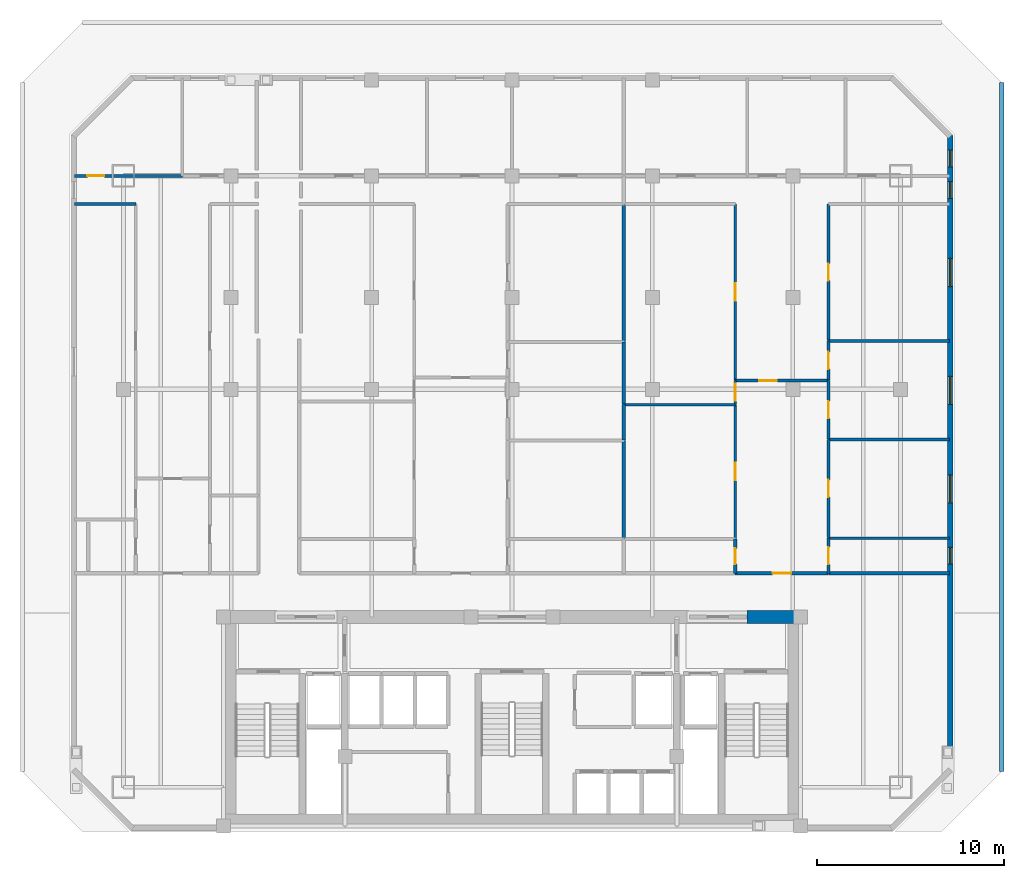
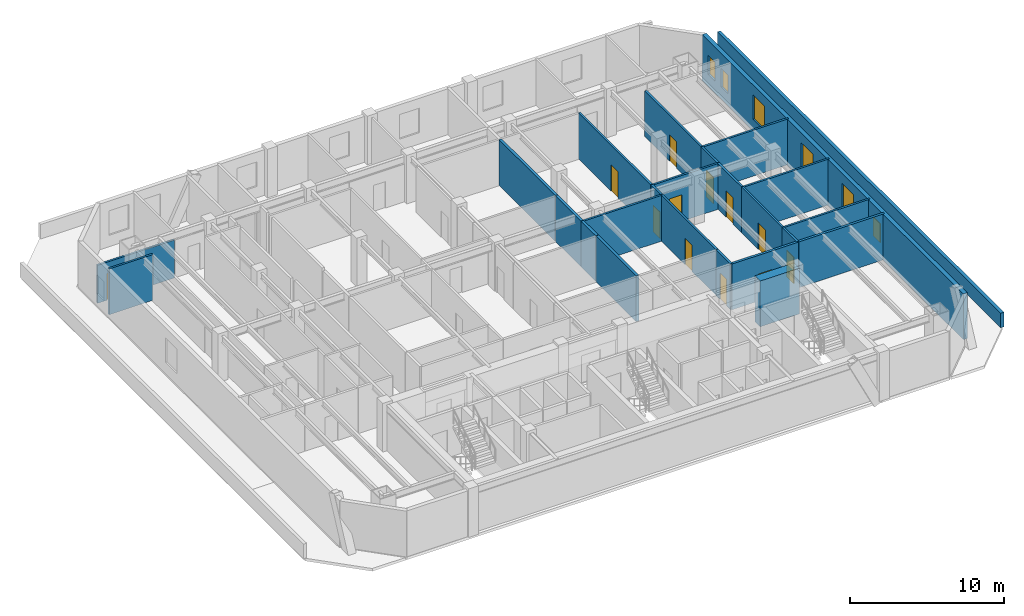
# One storey, part 5 of 8: 25 walls, 12 doors, 6 windows, 18 openings.
"""IFC4 building model written with IfcOpenShell, lengths in metres."""

import ifcopenshell
import ifcopenshell.guid

model = None  # the IFC model being written
_history = None  # IfcOwnerHistory: only IFC2X3 demands one
_inside = {}  # id of a spatial element -> (the spatial element, [elements in it])
_under = {}  # id of a project, library or spatial element -> (it, [spatial elements below it])
_declared = {}  # id of a project -> (the project, [libraries it declares])
_typed = {}  # id of a type object -> (the type object, [elements of that type])
_made_of = {}  # id of a material, layer set ... -> (it, [elements and type objects made of it])


def new_model(schema):
    """Start an empty IFC model of exactly this schema.

    Asked for "IFC4X3", IfcOpenShell would pick the latest addendum, in which some entities
    have other attributes; the version numbers below select the first issue.
    IFC2X3 requires an IfcOwnerHistory on every rooted entity: one is made here for all.
    """
    global model, _history
    if schema == "IFC4X3":
        model = ifcopenshell.file(schema_version=(4, 3, 0, 0))
    else:
        model = ifcopenshell.file(schema=schema)
    _inside.clear()
    _under.clear()
    _declared.clear()
    _typed.clear()
    _made_of.clear()
    _history = None
    if model.schema == "IFC2X3":
        org = make("IfcOrganization", Name="unknown")
        user = make(
            "IfcPersonAndOrganization",
            ThePerson=make("IfcPerson", FamilyName="unknown"),
            TheOrganization=org,
        )
        app = make(
            "IfcApplication",
            ApplicationDeveloper=org,
            Version="unknown",
            ApplicationFullName="unknown",
            ApplicationIdentifier="unknown",
        )
        _history = make(
            "IfcOwnerHistory",
            OwningUser=user,
            OwningApplication=app,
            ChangeAction="ADDED",
            CreationDate=0,
        )
    return model


def make(cls, **values):
    """One entity of the class cls with the attributes given. An attribute that is None is left unset."""
    return model.create_entity(
        cls, **{name: value for name, value in values.items() if value is not None}
    )


def rooted(cls, **values):
    """An entity with a GlobalId (a new one), such as an element, a storey or a relation."""
    return make(cls, GlobalId=ifcopenshell.guid.new(), OwnerHistory=_history, **values)


def si_unit(unit_type, name, prefix=None):
    """IfcSIUnit, for example si_unit("LENGTHUNIT", "METRE", prefix="MILLI")."""
    return make("IfcSIUnit", UnitType=unit_type, Prefix=prefix, Name=name)


def assignment(units):
    """IfcUnitAssignment: the units of a project."""
    return None if units is None else make("IfcUnitAssignment", Units=units)


def point(xyz):
    """IfcCartesianPoint."""
    return None if xyz is None else make("IfcCartesianPoint", Coordinates=xyz)


def direction(xyz):
    """IfcDirection."""
    return None if xyz is None else make("IfcDirection", DirectionRatios=xyz)


def frame(location, z_axis=None, x_axis=None):
    """IfcAxis2Placement3D, a coordinate frame: its origin and axes. An axis left out is left unset."""
    return make(
        "IfcAxis2Placement3D",
        Location=point(location),
        Axis=direction(z_axis),
        RefDirection=direction(x_axis),
    )


def frame_2d(location, x_axis=None):
    """IfcAxis2Placement2D, a coordinate frame in the plane: its origin and x axis."""
    return make(
        "IfcAxis2Placement2D", Location=point(location), RefDirection=direction(x_axis)
    )


def origin():
    """The frame at (0, 0, 0) with its axes left unset."""
    return frame((0.0, 0.0, 0.0))


def place(relative_to, where):
    """IfcLocalPlacement: puts the frame where relative to a parent placement (None: the world)."""
    return make(
        "IfcLocalPlacement", PlacementRelTo=relative_to, RelativePlacement=where
    )


def context(
    kind, dimensions, precision=None, world=None, true_north=None, identifier=None
):
    """IfcGeometricRepresentationContext, for example the 3D "Model" context."""
    return make(
        "IfcGeometricRepresentationContext",
        ContextIdentifier=identifier,
        ContextType=kind,
        CoordinateSpaceDimension=dimensions,
        Precision=precision,
        WorldCoordinateSystem=world,
        TrueNorth=true_north,
    )


def subcontext(parent, identifier, kind, view, scale=None):
    """IfcGeometricRepresentationSubContext, for example "Body" below "Model"."""
    return make(
        "IfcGeometricRepresentationSubContext",
        ContextIdentifier=identifier,
        ContextType=kind,
        ParentContext=parent,
        TargetScale=scale,
        TargetView=view,
    )


def project(units=None, contexts=None):
    """IfcProject with its units and contexts."""
    return rooted(
        "IfcProject",
        Name="project",
        RepresentationContexts=contexts,
        UnitsInContext=assignment(units),
    )


def spatial(cls, under=None, at=None, **own):
    """A site, building, storey or space (cls), placed at a placement, below another one or the project."""
    s = rooted(cls, ObjectPlacement=at, **own)
    if under is not None:
        _under.setdefault(under.id(), (under, []))[1].append(s)
    return s


def profile(cls, at=None, kind="AREA", **sizes):
    """A parametric profile (cls). Its sizes go by their IFC names, for example OverallWidth=200.0."""
    return make(cls, ProfileType=kind, Position=at, **sizes)


def rectangle(**sizes):
    """IfcRectangleProfileDef."""
    return profile("IfcRectangleProfileDef", **sizes)


def extrude(swept, where, along, depth):
    """IfcExtrudedAreaSolid: the profile swept, set in the frame where, extruded along a direction by depth."""
    return make(
        "IfcExtrudedAreaSolid",
        SweptArea=swept,
        Position=where,
        ExtrudedDirection=direction(along),
        Depth=depth,
    )


def shape(context_of_items, identifier, shape_type, items):
    """IfcShapeRepresentation: the items that make up one representation, for example the "Body"."""
    return make(
        "IfcShapeRepresentation",
        ContextOfItems=context_of_items,
        RepresentationIdentifier=identifier,
        RepresentationType=shape_type,
        Items=items,
    )


def material(Name=None, Category=None):
    """IfcMaterial."""
    return make("IfcMaterial", Name=Name, Category=Category)


def layer(
    of_material, thickness, ventilated=None, Name=None, Category=None, Priority=None
):
    """IfcMaterialLayer: one layer of a wall or slab, of a material (None: an air gap)."""
    return make(
        "IfcMaterialLayer",
        Material=of_material,
        LayerThickness=thickness,
        IsVentilated=ventilated,
        Name=Name,
        Category=Category,
        Priority=Priority,
    )


def layer_set(layers, Name=None):
    """IfcMaterialLayerSet."""
    return make("IfcMaterialLayerSet", MaterialLayers=layers, LayerSetName=Name)


def made_of(thing, what):
    """Note that an element or type object is made of a material, layer set ...; save() writes the relation."""
    if what is not None:
        _made_of.setdefault(what.id(), (what, []))[1].append(thing)
    return thing


def type_object(cls, material=None, **own):
    """A type object (cls), such as IfcWallType, which elements share."""
    return made_of(rooted(cls, **own), material)


def element(
    cls,
    number,
    at=None,
    inside=None,
    cuts=None,
    type_object=None,
    material=None,
    context=None,
    identifier="Body",
    shape_type=None,
    held_by="IfcProductDefinitionShape",
    body=None,
    shapes=None,
    **own,
):
    """One element of the class cls, such as IfcWall. Its Tag is "e" and its number.

    at: its placement. inside: the storey or other place that contains it. cuts: it is an
    opening in that element (IfcRelVoidsElement). A single representation is given by context,
    identifier, shape_type and body (its items); several are given by shapes. held_by: the class
    of the entity that holds the representations. save() writes the other relations.
    """
    e = rooted(cls, Tag="e%d" % number, ObjectPlacement=at, **own)
    if body is not None:
        shapes = [shape(context, identifier, shape_type, body)]
    if shapes is not None:
        e.Representation = make(held_by, Representations=shapes)
    if inside is not None:
        _inside.setdefault(inside.id(), (inside, []))[1].append(e)
    if cuts is not None:
        rooted(
            "IfcRelVoidsElement", RelatingBuildingElement=cuts, RelatedOpeningElement=e
        )
    if type_object is not None:
        _typed.setdefault(type_object.id(), (type_object, []))[1].append(e)
    return made_of(e, material)


def fill(opening, filler):
    """IfcRelFillsElement: the door or window that sits in an opening."""
    return rooted(
        "IfcRelFillsElement",
        RelatingOpeningElement=opening,
        RelatedBuildingElement=filler,
    )


def aggregate(whole, parts):
    """IfcRelAggregates: a whole, such as a stair, and the parts it consists of."""
    return rooted("IfcRelAggregates", RelatingObject=whole, RelatedObjects=parts)


def save(model, path):
    """Write the relations noted so far, then the file.

    IfcRelAggregates (storeys below a building ...), IfcRelContainedInSpatialStructure (elements
    in a storey), IfcRelDefinesByType, IfcRelAssociatesMaterial and IfcRelDeclares: one each for
    every whole, place, type object, material and project.
    """
    for whole, parts in _under.values():
        aggregate(whole, parts)
    for where, things in _inside.values():
        rooted(
            "IfcRelContainedInSpatialStructure",
            RelatedElements=things,
            RelatingStructure=where,
        )
    for kind, things in _typed.values():
        rooted("IfcRelDefinesByType", RelatedObjects=things, RelatingType=kind)
    for what, things in _made_of.values():
        rooted("IfcRelAssociatesMaterial", RelatedObjects=things, RelatingMaterial=what)
    for by, libraries in _declared.values():
        rooted("IfcRelDeclares", RelatingContext=by, RelatedDefinitions=libraries)
    model.write(path)


model = new_model("IFC4")

# Units and contexts
model_context = context("Model", 3, precision=1e-05, world=origin(), true_north=direction((0.0, 1.0)))
body_context = subcontext(model_context, "Body", "Model", "MODEL_VIEW")
ifc_project = project(units=[si_unit("LENGTHUNIT", "METRE"), si_unit("AREAUNIT", "SQUARE_METRE"), si_unit("VOLUMEUNIT", "CUBIC_METRE"), si_unit("PLANEANGLEUNIT", "RADIAN"), si_unit("MASSUNIT", "GRAM", prefix="KILO")], contexts=[model_context])

# Site, building, storey
site_placement = place(None, origin())
site = spatial("IfcSite", under=ifc_project, at=site_placement, CompositionType="ELEMENT")
building_placement = place(site_placement, origin())
building = spatial("IfcBuilding", under=site, at=building_placement, Name="Ventersveld Concourse Tower", CompositionType="ELEMENT")
storey_placement = place(building_placement, frame((0.0, 0.0, 156.75)))
storey = spatial("IfcBuildingStorey", under=building, at=storey_placement, Name="L38", CompositionType="ELEMENT", Elevation=156.75)

# Wall
ifc_material_1 = material(Name="Concrete C60/75", Category="concrete")
ifc_layer_1 = layer(ifc_material_1, 0.699951171875)
ifc_layer_set_1 = layer_set([ifc_layer_1], Name="Concrete C60/75")
wall_type_1 = type_object("IfcWallType", Name="WL-CORE-700", PredefinedType="SHEAR", material=ifc_layer_set_1)
wall_1_placement = place(storey_placement, frame((41.300048828125, 11.449951171875, 0.0), z_axis=(0.0, 0.0, 1.0), x_axis=(1.0, 0.0, 0.0)))
element("IfcWall", 1, at=wall_1_placement, inside=storey, type_object=wall_type_1, Name="L38 Rear Core North Shear Wall NE", PredefinedType="SHEAR", context=body_context, shape_type="SweptSolid", body=[
    extrude(rectangle(XDim=2.949951171875, YDim=0.699951171875, at=frame_2d((1.47509765625, 0.0))), origin(), (0.0, 0.0, 1.0), 3.6298828125),
])

# Wall, opening, door
ifc_material_2 = material(Name="Fire-rated autoclaved aerated masonry blockwork", Category="masonry")
ifc_layer_2 = layer(ifc_material_2, 0.179931640625)
ifc_layer_set_2 = layer_set([ifc_layer_2], Name="Fire-rated autoclaved aerated masonry blockwork")
wall_type_2 = type_object("IfcWallType", Name="WL-CORR-180", PredefinedType="PARTITIONING", material=ifc_layer_set_2)
wall_2_placement = place(storey_placement, frame((40.6689453125, 13.77001953125, 0.0), z_axis=(0.0, 0.0, 1.0), x_axis=(1.0, 0.0, 0.0)))
wall_2 = element("IfcWall", 2, at=wall_2_placement, inside=storey, type_object=wall_type_2, Name="L38 Interior Partition SP-L38-COR-SP-L38-38N2-FOY", PredefinedType="PARTITIONING", context=body_context, shape_type="SweptSolid", body=[
    extrude(rectangle(XDim=4.989990234375, YDim=0.179931640625, at=frame_2d((2.4951171875, 0.0))), origin(), (0.0, 0.0, 1.0), 3.6298828125),
])
opening_1_placement = place(wall_2_placement, frame((1.9951171875, 0.0, 0.0)))
opening_1 = element("IfcOpeningElement", 3, at=opening_1_placement, cuts=wall_2, Name="Opening FD3", PredefinedType="OPENING", context=body_context, shape_type="SweptSolid", body=[
    extrude(rectangle(XDim=1.0, YDim=2.14990234375, at=frame_2d((0.5, 1.074951171875))), frame((0.0, 0.10009765625, 0.0), z_axis=(0.0, -1.0, 0.0), x_axis=(1.0, 0.0, 0.0)), (0.0, 0.0, 1.0), 0.199951171875),
])
ifc_material_3 = material(Name="Solid-core hardwood veneer timber", Category="wood")
door_type_1 = type_object("IfcDoorType", Name="DR-FLAT-100", OperationType="NOTDEFINED", PredefinedType="DOOR", material=ifc_material_3)
door_1_placement = place(opening_1_placement, origin())
door_1 = element("IfcDoor", 4, at=door_1_placement, inside=storey, type_object=door_type_1, Name="L38 Interior Door SP-L38-COR to SP-L38-38N2-FOY (FD-L38-1862)", OperationType="SINGLE_SWING_RIGHT", OverallHeight=2.14990234375, OverallWidth=1.0, PredefinedType="DOOR", context=body_context, shape_type="SweptSolid", body=[
    extrude(rectangle(XDim=1.0, YDim=2.14990234375, at=frame_2d((0.5, 1.074951171875))), frame((0.0, 0.02490234375, 0.0), z_axis=(0.0, -1.0, 0.0), x_axis=(1.0, 0.0, 0.0)), (0.0, 0.0, 1.0), 0.050048828125),
])
fill(opening_1, door_1)

# Walls
wall_3_placement = place(storey_placement, frame((45.68896484375, 13.77001953125, 0.0), z_axis=(0.0, 0.0, 1.0), x_axis=(1.0, 0.0, 0.0)))
element("IfcWall", 5, at=wall_3_placement, inside=storey, type_object=wall_type_2, Name="L38 Interior Partition SP-L38-COR-SP-L38-38N2-KIT", PredefinedType="PARTITIONING", context=body_context, shape_type="SweptSolid", body=[
    extrude(rectangle(XDim=6.4384765625, YDim=0.179931640625, at=frame_2d((3.21923828125, 0.0))), origin(), (0.0, 0.0, 1.0), 3.6298828125),
])
ifc_layer_3 = layer(ifc_material_2, 0.199951171875)
ifc_layer_set_3 = layer_set([ifc_layer_3], Name="Fire-rated autoclaved aerated masonry blockwork")
wall_type_3 = type_object("IfcWallType", Name="WL-DEMISE-200", PredefinedType="PARTITIONING", material=ifc_layer_set_3)
wall_4_placement = place(storey_placement, frame((34.719970703125, 15.635009765625, 0.0), z_axis=(0.0, 0.0, 1.0), x_axis=(0.0, 1.0, 0.0)))
element("IfcWall", 6, at=wall_4_placement, inside=storey, type_object=wall_type_3, Name="L38 Interior Partition SP-L38-38N1-DENR-SP-L38-38N2-DENL", PredefinedType="PARTITIONING", context=body_context, shape_type="SweptSolid", body=[
    extrude(rectangle(XDim=5.233642578125, YDim=0.199951171875, at=frame_2d((2.61669921875, 0.0))), origin(), (0.0, 0.0, 1.0), 3.6298828125),
])
wall_5_placement = place(storey_placement, frame((34.719970703125, 20.898681640625, 0.0), z_axis=(0.0, 0.0, 1.0), x_axis=(0.0, 1.0, 0.0)))
element("IfcWall", 7, at=wall_5_placement, inside=storey, type_object=wall_type_3, Name="L38 Interior Partition SP-L38-38N1-DENS-SP-L38-38N2-DENL", PredefinedType="PARTITIONING", context=body_context, shape_type="SweptSolid", body=[
    extrude(rectangle(XDim=1.88818359375, YDim=0.199951171875, at=frame_2d((0.944091796875, 0.0))), origin(), (0.0, 0.0, 1.0), 3.6298828125),
])
wall_6_placement = place(storey_placement, frame((34.719970703125, 22.81689453125, 0.0), z_axis=(0.0, 0.0, 1.0), x_axis=(0.0, 1.0, 0.0)))
element("IfcWall", 8, at=wall_6_placement, inside=storey, type_object=wall_type_3, Name="L38 Interior Partition SP-L38-38N1-DENS-SP-L38-38N2-DENL2", PredefinedType="PARTITIONING", context=body_context, shape_type="SweptSolid", body=[
    extrude(rectangle(XDim=3.3154296875, YDim=0.199951171875, at=frame_2d((1.65771484375, 0.0))), origin(), (0.0, 0.0, 1.0), 3.6298828125),
])
wall_7_placement = place(storey_placement, frame((34.719970703125, 26.162353515625, 0.0), z_axis=(0.0, 0.0, 1.0), x_axis=(0.0, 1.0, 0.0)))
element("IfcWall", 9, at=wall_7_placement, inside=storey, type_object=wall_type_3, Name="L38 Interior Partition SP-L38-38N1-DENS2-SP-L38-38N2-DENL2", PredefinedType="PARTITIONING", context=body_context, shape_type="SweptSolid", body=[
    extrude(rectangle(XDim=7.302734375, YDim=0.199951171875, at=frame_2d((3.6513671875, 0.0))), origin(), (0.0, 0.0, 1.0), 3.6298828125),
])
ifc_material_4 = material(Name="Autoclaved aerated masonry blockwork", Category="masonry")
ifc_layer_4 = layer(ifc_material_4, 0.14990234375)
ifc_layer_set_4 = layer_set([ifc_layer_4], Name="Autoclaved aerated masonry blockwork")
wall_type_4 = type_object("IfcWallType", Name="WL-INT-150", PredefinedType="PARTITIONING", material=ifc_layer_set_4)
wall_8_placement = place(storey_placement, frame((5.37255859375, 33.5, 0.0), z_axis=(0.0, 0.0, 1.0), x_axis=(1.0, 0.0, 0.0)))
element("IfcWall", 10, at=wall_8_placement, inside=storey, type_object=wall_type_4, Name="L38 Interior Partition SP-L38-38NW-LIV-SP-L38-38NW-OFFL0", PredefinedType="PARTITIONING", context=body_context, shape_type="SweptSolid", body=[
    extrude(rectangle(XDim=3.291259765625, YDim=0.14990234375, at=frame_2d((1.6455078125, 0.0))), origin(), (0.0, 0.0, 1.0), 3.6298828125),
])

# Wall, opening, door
wall_9_placement = place(storey_placement, frame((5.37255859375, 35.0, 0.0), z_axis=(0.0, 0.0, 1.0), x_axis=(1.0, 0.0, 0.0)))
wall_9 = element("IfcWall", 11, at=wall_9_placement, inside=storey, type_object=wall_type_4, Name="L38 Interior Partition SP-L38-38NW-LIV-SP-L38-38NW-BR1", PredefinedType="PARTITIONING", context=body_context, shape_type="SweptSolid", body=[
    extrude(rectangle(XDim=5.771240234375, YDim=0.14990234375, at=frame_2d((2.8857421875, 0.0))), origin(), (0.0, 0.0, 1.0), 3.0126953125),
])
opening_2_placement = place(wall_9_placement, frame((0.6943359375, 0.0, 0.0)))
opening_2 = element("IfcOpeningElement", 12, at=opening_2_placement, cuts=wall_9, Name="Opening ID1", PredefinedType="OPENING", context=body_context, shape_type="SweptSolid", body=[
    extrude(rectangle(XDim=0.919921875, YDim=2.10009765625, at=frame_2d((0.4599609375, 1.050048828125))), frame((0.0, 0.0849609375, 0.0), z_axis=(0.0, -1.0, 0.0), x_axis=(1.0, 0.0, 0.0)), (0.0, 0.0, 1.0), 0.169921875),
])
door_type_2 = type_object("IfcDoorType", Name="DR-ROOM-092", OperationType="NOTDEFINED", PredefinedType="DOOR", material=ifc_material_3)
door_2_placement = place(opening_2_placement, origin())
door_2 = element("IfcDoor", 13, at=door_2_placement, inside=storey, type_object=door_type_2, Name="L38 Interior Door SP-L38-38NW-LIV to SP-L38-38NW-BR1 (D-L38-1869)", OperationType="SINGLE_SWING_LEFT", OverallHeight=2.10009765625, OverallWidth=0.919921875, PredefinedType="DOOR", context=body_context, shape_type="SweptSolid", body=[
    extrude(rectangle(XDim=0.919921875, YDim=2.10009765625, at=frame_2d((0.4599609375, 1.050048828125))), frame((0.0, 0.02490234375, 0.0), z_axis=(0.0, -1.0, 0.0), x_axis=(1.0, 0.0, 0.0)), (0.0, 0.0, 1.0), 0.050048828125),
])
fill(opening_2, door_2)

wall_10_placement = place(storey_placement, frame((40.6689453125, 24.070068359375, 0.0), z_axis=(0.0, 0.0, 1.0), x_axis=(1.0, 0.0, 0.0)))
wall_10 = element("IfcWall", 14, at=wall_10_placement, inside=storey, type_object=wall_type_4, Name="L38 Interior Partition SP-L38-38N2-FOY-SP-L38-38N2-LIV", PredefinedType="PARTITIONING", context=body_context, shape_type="SweptSolid", body=[
    extrude(rectangle(XDim=4.989990234375, YDim=0.14990234375, at=frame_2d((2.4951171875, 0.0))), origin(), (0.0, 0.0, 1.0), 3.6298828125),
])
opening_3_placement = place(wall_10_placement, frame((1.28662109375, 0.0, 0.0)))
opening_3 = element("IfcOpeningElement", 15, at=opening_3_placement, cuts=wall_10, Name="Opening ID1", PredefinedType="OPENING", context=body_context, shape_type="SweptSolid", body=[
    extrude(rectangle(XDim=0.919921875, YDim=2.10009765625, at=frame_2d((0.4599609375, 1.050048828125))), frame((0.0, 0.0849609375, 0.0), z_axis=(0.0, -1.0, 0.0), x_axis=(1.0, 0.0, 0.0)), (0.0, 0.0, 1.0), 0.169921875),
])
door_3_placement = place(opening_3_placement, origin())
door_3 = element("IfcDoor", 16, at=door_3_placement, inside=storey, type_object=door_type_2, Name="L38 Interior Door SP-L38-38N2-FOY to SP-L38-38N2-LIV (D-L38-1884)", OperationType="SINGLE_SWING_RIGHT", OverallHeight=2.10009765625, OverallWidth=0.919921875, PredefinedType="DOOR", context=body_context, shape_type="SweptSolid", body=[
    extrude(rectangle(XDim=0.919921875, YDim=2.10009765625, at=frame_2d((0.4599609375, 1.050048828125))), frame((0.0, 0.02490234375, 0.0), z_axis=(0.0, -1.0, 0.0), x_axis=(1.0, 0.0, 0.0)), (0.0, 0.0, 1.0), 0.050048828125),
])
fill(opening_3, door_3)

wall_11_placement = place(storey_placement, frame((40.673828125, 15.635009765625, 0.0), z_axis=(0.0, 0.0, 1.0), x_axis=(0.0, 1.0, 0.0)))
wall_11 = element("IfcWall", 17, at=wall_11_placement, inside=storey, type_object=wall_type_4, Name="L38 Interior Partition SP-L38-38N2-FOY-SP-L38-38N2-DENL", PredefinedType="PARTITIONING", context=body_context, shape_type="SweptSolid", body=[
    extrude(rectangle(XDim=7.15185546875, YDim=0.14990234375, at=frame_2d((3.575927734375, 0.0))), origin(), (0.0, 0.0, 1.0), 3.6298828125),
])
opening_4_placement = place(wall_11_placement, frame((3.115966796875, 0.0, 0.0)))
opening_4 = element("IfcOpeningElement", 18, at=opening_4_placement, cuts=wall_11, Name="Opening ID1", PredefinedType="OPENING", context=body_context, shape_type="SweptSolid", body=[
    extrude(rectangle(XDim=0.919921875, YDim=2.10009765625, at=frame_2d((0.4599609375, 1.050048828125))), frame((0.0, 0.0849609375, 0.0), z_axis=(0.0, -1.0, 0.0), x_axis=(1.0, 0.0, 0.0)), (0.0, 0.0, 1.0), 0.169921875),
])
door_4_placement = place(opening_4_placement, origin())
door_4 = element("IfcDoor", 19, at=door_4_placement, inside=storey, type_object=door_type_2, Name="L38 Interior Door SP-L38-38N2-FOY to SP-L38-38N2-DENL (D-L38-1886)", OperationType="SINGLE_SWING_RIGHT", OverallHeight=2.10009765625, OverallWidth=0.919921875, PredefinedType="DOOR", context=body_context, shape_type="SweptSolid", body=[
    extrude(rectangle(XDim=0.919921875, YDim=2.10009765625, at=frame_2d((0.4599609375, 1.050048828125))), frame((0.0, 0.02490234375, 0.0), z_axis=(0.0, -1.0, 0.0), x_axis=(1.0, 0.0, 0.0)), (0.0, 0.0, 1.0), 0.050048828125),
])
fill(opening_4, door_4)

wall_12_placement = place(storey_placement, frame((40.673828125, 22.81689453125, 0.0), z_axis=(0.0, 0.0, 1.0), x_axis=(0.0, 1.0, 0.0)))
wall_12 = element("IfcWall", 20, at=wall_12_placement, inside=storey, type_object=wall_type_4, Name="L38 Interior Partition SP-L38-38N2-FOY-SP-L38-38N2-DENL2", PredefinedType="PARTITIONING", context=body_context, shape_type="SweptSolid", body=[
    extrude(rectangle(XDim=1.25830078125, YDim=0.14990234375, at=frame_2d((0.629150390625, 0.0))), origin(), (0.0, 0.0, 1.0), 3.6298828125),
])
opening_5_placement = place(wall_12_placement, frame((0.169189453125, 0.0, 0.0)))
opening_5 = element("IfcOpeningElement", 21, at=opening_5_placement, cuts=wall_12, Name="Opening ID1", PredefinedType="OPENING", context=body_context, shape_type="SweptSolid", body=[
    extrude(rectangle(XDim=0.919921875, YDim=2.10009765625, at=frame_2d((0.4599609375, 1.050048828125))), frame((0.0, 0.0849609375, 0.0), z_axis=(0.0, -1.0, 0.0), x_axis=(1.0, 0.0, 0.0)), (0.0, 0.0, 1.0), 0.169921875),
])
door_5_placement = place(opening_5_placement, origin())
door_5 = element("IfcDoor", 22, at=door_5_placement, inside=storey, type_object=door_type_2, Name="L38 Interior Door SP-L38-38N2-FOY to SP-L38-38N2-DENL2 (D-L38-1887)", OperationType="SINGLE_SWING_LEFT", OverallHeight=2.10009765625, OverallWidth=0.919921875, PredefinedType="DOOR", context=body_context, shape_type="SweptSolid", body=[
    extrude(rectangle(XDim=0.919921875, YDim=2.10009765625, at=frame_2d((0.4599609375, 1.050048828125))), frame((0.0, 0.02490234375, 0.0), z_axis=(0.0, -1.0, 0.0), x_axis=(1.0, 0.0, 0.0)), (0.0, 0.0, 1.0), 0.050048828125),
])
fill(opening_5, door_5)

wall_13_placement = place(storey_placement, frame((45.65380859375, 13.764892578125, 0.0), z_axis=(0.0, 0.0, 1.0), x_axis=(0.0, 1.0, 0.0)))
wall_13 = element("IfcWall", 23, at=wall_13_placement, inside=storey, type_object=wall_type_4, Name="L38 Interior Partition SP-L38-38N2-FOY-SP-L38-38N2-KIT", PredefinedType="PARTITIONING", context=body_context, shape_type="SweptSolid", body=[
    extrude(rectangle(XDim=1.893310546875, YDim=0.14990234375, at=frame_2d((0.94677734375, 0.0))), origin(), (0.0, 0.0, 1.0), 3.6298828125),
])
opening_6_placement = place(wall_13_placement, frame((0.486572265625, 0.0, 0.0)))
opening_6 = element("IfcOpeningElement", 24, at=opening_6_placement, cuts=wall_13, Name="Opening ID1", PredefinedType="OPENING", context=body_context, shape_type="SweptSolid", body=[
    extrude(rectangle(XDim=0.919921875, YDim=2.10009765625, at=frame_2d((0.4599609375, 1.050048828125))), frame((0.0, 0.0849609375, 0.0), z_axis=(0.0, -1.0, 0.0), x_axis=(1.0, 0.0, 0.0)), (0.0, 0.0, 1.0), 0.169921875),
])
door_6_placement = place(opening_6_placement, origin())
door_6 = element("IfcDoor", 25, at=door_6_placement, inside=storey, type_object=door_type_2, Name="L38 Interior Door SP-L38-38N2-FOY to SP-L38-38N2-KIT (D-L38-1888)", OperationType="SINGLE_SWING_RIGHT", OverallHeight=2.10009765625, OverallWidth=0.919921875, PredefinedType="DOOR", context=body_context, shape_type="SweptSolid", body=[
    extrude(rectangle(XDim=0.919921875, YDim=2.10009765625, at=frame_2d((0.4599609375, 1.050048828125))), frame((0.0, 0.02490234375, 0.0), z_axis=(0.0, -1.0, 0.0), x_axis=(1.0, 0.0, 0.0)), (0.0, 0.0, 1.0), 0.050048828125),
])
fill(opening_6, door_6)

wall_14_placement = place(storey_placement, frame((45.65380859375, 15.688232421875, 0.0), z_axis=(0.0, 0.0, 1.0), x_axis=(0.0, 1.0, 0.0)))
wall_14 = element("IfcWall", 26, at=wall_14_placement, inside=storey, type_object=wall_type_4, Name="L38 Interior Partition SP-L38-38N2-FOY-SP-L38-38N2-DENR", PredefinedType="PARTITIONING", context=body_context, shape_type="SweptSolid", body=[
    extrude(rectangle(XDim=5.23388671875, YDim=0.14990234375, at=frame_2d((2.616943359375, 0.0))), origin(), (0.0, 0.0, 1.0), 3.6298828125),
])
opening_7_placement = place(wall_14_placement, frame((2.156982421875, 0.0, 0.0)))
opening_7 = element("IfcOpeningElement", 27, at=opening_7_placement, cuts=wall_14, Name="Opening ID1", PredefinedType="OPENING", context=body_context, shape_type="SweptSolid", body=[
    extrude(rectangle(XDim=0.919921875, YDim=2.10009765625, at=frame_2d((0.4599609375, 1.050048828125))), frame((0.0, 0.0849609375, 0.0), z_axis=(0.0, -1.0, 0.0), x_axis=(1.0, 0.0, 0.0)), (0.0, 0.0, 1.0), 0.169921875),
])
door_7_placement = place(opening_7_placement, origin())
door_7 = element("IfcDoor", 28, at=door_7_placement, inside=storey, type_object=door_type_2, Name="L38 Interior Door SP-L38-38N2-FOY to SP-L38-38N2-DENR (D-L38-1889)", OperationType="SINGLE_SWING_LEFT", OverallHeight=2.10009765625, OverallWidth=0.919921875, PredefinedType="DOOR", context=body_context, shape_type="SweptSolid", body=[
    extrude(rectangle(XDim=0.919921875, YDim=2.10009765625, at=frame_2d((0.4599609375, 1.050048828125))), frame((0.0, 0.02490234375, 0.0), z_axis=(0.0, -1.0, 0.0), x_axis=(1.0, 0.0, 0.0)), (0.0, 0.0, 1.0), 0.050048828125),
])
fill(opening_7, door_7)

wall_15_placement = place(storey_placement, frame((45.65380859375, 20.951904296875, 0.0), z_axis=(0.0, 0.0, 1.0), x_axis=(0.0, 1.0, 0.0)))
wall_15 = element("IfcWall", 29, at=wall_15_placement, inside=storey, type_object=wall_type_4, Name="L38 Interior Partition SP-L38-38N2-FOY-SP-L38-38N2-DENS", PredefinedType="PARTITIONING", context=body_context, shape_type="SweptSolid", body=[
    extrude(rectangle(XDim=3.123291015625, YDim=0.14990234375, at=frame_2d((1.5615234375, 0.0))), origin(), (0.0, 0.0, 1.0), 3.6298828125),
])
opening_8_placement = place(wall_15_placement, frame((1.1015625, 0.0, 0.0)))
opening_8 = element("IfcOpeningElement", 30, at=opening_8_placement, cuts=wall_15, Name="Opening ID1", PredefinedType="OPENING", context=body_context, shape_type="SweptSolid", body=[
    extrude(rectangle(XDim=0.919921875, YDim=2.10009765625, at=frame_2d((0.4599609375, 1.050048828125))), frame((0.0, 0.0849609375, 0.0), z_axis=(0.0, -1.0, 0.0), x_axis=(1.0, 0.0, 0.0)), (0.0, 0.0, 1.0), 0.169921875),
])
door_8_placement = place(opening_8_placement, origin())
door_8 = element("IfcDoor", 31, at=door_8_placement, inside=storey, type_object=door_type_2, Name="L38 Interior Door SP-L38-38N2-FOY to SP-L38-38N2-DENS (D-L38-1890)", OperationType="SINGLE_SWING_RIGHT", OverallHeight=2.10009765625, OverallWidth=0.919921875, PredefinedType="DOOR", context=body_context, shape_type="SweptSolid", body=[
    extrude(rectangle(XDim=0.919921875, YDim=2.10009765625, at=frame_2d((0.4599609375, 1.050048828125))), frame((0.0, 0.02490234375, 0.0), z_axis=(0.0, -1.0, 0.0), x_axis=(1.0, 0.0, 0.0)), (0.0, 0.0, 1.0), 0.050048828125),
])
fill(opening_8, door_8)

wall_16_placement = place(storey_placement, frame((40.673828125, 24.10498046875, 0.0), z_axis=(0.0, 0.0, 1.0), x_axis=(0.0, 1.0, 0.0)))
wall_16 = element("IfcWall", 32, at=wall_16_placement, inside=storey, type_object=wall_type_4, Name="L38 Interior Partition SP-L38-38N2-LIV-SP-L38-38N2-DENL2", PredefinedType="PARTITIONING", context=body_context, shape_type="SweptSolid", body=[
    extrude(rectangle(XDim=9.39990234375, YDim=0.14990234375, at=frame_2d((4.699951171875, 0.0))), origin(), (0.0, 0.0, 1.0), 3.6298828125),
])
opening_9_placement = place(wall_16_placement, frame((4.239990234375, 0.0, 0.0)))
opening_9 = element("IfcOpeningElement", 33, at=opening_9_placement, cuts=wall_16, Name="Opening ID1", PredefinedType="OPENING", context=body_context, shape_type="SweptSolid", body=[
    extrude(rectangle(XDim=0.919921875, YDim=2.10009765625, at=frame_2d((0.4599609375, 1.050048828125))), frame((0.0, 0.0849609375, 0.0), z_axis=(0.0, -1.0, 0.0), x_axis=(1.0, 0.0, 0.0)), (0.0, 0.0, 1.0), 0.169921875),
])
door_9_placement = place(opening_9_placement, origin())
door_9 = element("IfcDoor", 34, at=door_9_placement, inside=storey, type_object=door_type_2, Name="L38 Interior Door SP-L38-38N2-LIV to SP-L38-38N2-DENL2 (D-L38-1891)", OperationType="SINGLE_SWING_LEFT", OverallHeight=2.10009765625, OverallWidth=0.919921875, PredefinedType="DOOR", context=body_context, shape_type="SweptSolid", body=[
    extrude(rectangle(XDim=0.919921875, YDim=2.10009765625, at=frame_2d((0.4599609375, 1.050048828125))), frame((0.0, 0.02490234375, 0.0), z_axis=(0.0, -1.0, 0.0), x_axis=(1.0, 0.0, 0.0)), (0.0, 0.0, 1.0), 0.050048828125),
])
fill(opening_9, door_9)

wall_17_placement = place(storey_placement, frame((45.65380859375, 24.10498046875, 0.0), z_axis=(0.0, 0.0, 1.0), x_axis=(0.0, 1.0, 0.0)))
wall_17 = element("IfcWall", 35, at=wall_17_placement, inside=storey, type_object=wall_type_4, Name="L38 Interior Partition SP-L38-38N2-LIV-SP-L38-38N2-DENS", PredefinedType="PARTITIONING", context=body_context, shape_type="SweptSolid", body=[
    extrude(rectangle(XDim=2.080810546875, YDim=0.14990234375, at=frame_2d((1.04052734375, 0.0))), origin(), (0.0, 0.0, 1.0), 3.6298828125),
])
opening_10_placement = place(wall_17_placement, frame((0.580322265625, 0.0, 0.0)))
opening_10 = element("IfcOpeningElement", 36, at=opening_10_placement, cuts=wall_17, Name="Opening ID1", PredefinedType="OPENING", context=body_context, shape_type="SweptSolid", body=[
    extrude(rectangle(XDim=0.919921875, YDim=2.10009765625, at=frame_2d((0.4599609375, 1.050048828125))), frame((0.0, 0.0849609375, 0.0), z_axis=(0.0, -1.0, 0.0), x_axis=(1.0, 0.0, 0.0)), (0.0, 0.0, 1.0), 0.169921875),
])
door_10_placement = place(opening_10_placement, origin())
door_10 = element("IfcDoor", 37, at=door_10_placement, inside=storey, type_object=door_type_2, Name="L38 Interior Door SP-L38-38N2-LIV to SP-L38-38N2-DENS (D-L38-1892)", OperationType="SINGLE_SWING_RIGHT", OverallHeight=2.10009765625, OverallWidth=0.919921875, PredefinedType="DOOR", context=body_context, shape_type="SweptSolid", body=[
    extrude(rectangle(XDim=0.919921875, YDim=2.10009765625, at=frame_2d((0.4599609375, 1.050048828125))), frame((0.0, 0.02490234375, 0.0), z_axis=(0.0, -1.0, 0.0), x_axis=(1.0, 0.0, 0.0)), (0.0, 0.0, 1.0), 0.050048828125),
])
fill(opening_10, door_10)

wall_18_placement = place(storey_placement, frame((45.65380859375, 26.2158203125, 0.0), z_axis=(0.0, 0.0, 1.0), x_axis=(0.0, 1.0, 0.0)))
wall_18 = element("IfcWall", 38, at=wall_18_placement, inside=storey, type_object=wall_type_4, Name="L38 Interior Partition SP-L38-38N2-LIV-SP-L38-38N2-DENS2", PredefinedType="PARTITIONING", context=body_context, shape_type="SweptSolid", body=[
    extrude(rectangle(XDim=7.2890625, YDim=0.14990234375, at=frame_2d((3.64453125, 0.0))), origin(), (0.0, 0.0, 1.0), 3.6298828125),
])
opening_11_placement = place(wall_18_placement, frame((3.184814453125, 0.0, 0.0)))
opening_11 = element("IfcOpeningElement", 39, at=opening_11_placement, cuts=wall_18, Name="Opening ID1", PredefinedType="OPENING", context=body_context, shape_type="SweptSolid", body=[
    extrude(rectangle(XDim=0.919921875, YDim=2.10009765625, at=frame_2d((0.4599609375, 1.050048828125))), frame((0.0, 0.0849609375, 0.0), z_axis=(0.0, -1.0, 0.0), x_axis=(1.0, 0.0, 0.0)), (0.0, 0.0, 1.0), 0.169921875),
])
door_11_placement = place(opening_11_placement, origin())
door_11 = element("IfcDoor", 40, at=door_11_placement, inside=storey, type_object=door_type_2, Name="L38 Interior Door SP-L38-38N2-LIV to SP-L38-38N2-DENS2 (D-L38-1893)", OperationType="SINGLE_SWING_LEFT", OverallHeight=2.10009765625, OverallWidth=0.919921875, PredefinedType="DOOR", context=body_context, shape_type="SweptSolid", body=[
    extrude(rectangle(XDim=0.919921875, YDim=2.10009765625, at=frame_2d((0.4599609375, 1.050048828125))), frame((0.0, 0.02490234375, 0.0), z_axis=(0.0, -1.0, 0.0), x_axis=(1.0, 0.0, 0.0)), (0.0, 0.0, 1.0), 0.050048828125),
])
fill(opening_11, door_11)

# Walls
wall_19_placement = place(storey_placement, frame((34.715087890625, 22.78173828125, 0.0), z_axis=(0.0, 0.0, 1.0), x_axis=(1.0, 0.0, 0.0)))
element("IfcWall", 41, at=wall_19_placement, inside=storey, type_object=wall_type_4, Name="L38 Interior Partition SP-L38-38N2-DENL-SP-L38-38N2-DENL2", PredefinedType="PARTITIONING", context=body_context, shape_type="SweptSolid", body=[
    extrude(rectangle(XDim=5.9638671875, YDim=0.14990234375, at=frame_2d((2.98193359375, 0.0))), origin(), (0.0, 0.0, 1.0), 3.6298828125),
])
for number, where, z_axis, x_axis, name in (
    (42, (45.64892578125, 15.6533203125, 0.0), (0.0, 0.0, 1.0), (1.0, 0.0, 0.0), "L38 Interior Partition SP-L38-38N2-KIT-SP-L38-38N2-DENR"),
    (43, (45.64892578125, 20.9169921875, 0.0), (0.0, 0.0, 1.0), (1.0, 0.0, 0.0), "L38 Interior Partition SP-L38-38N2-DENR-SP-L38-38N2-DENS"),
    (44, (45.64892578125, 26.1806640625, 0.0), (0.0, 0.0, 1.0), (1.0, 0.0, 0.0), "L38 Interior Partition SP-L38-38N2-DENS-SP-L38-38N2-DENS2"),
):
    element("IfcWall", number, at=place(storey_placement, frame(where, z_axis=z_axis, x_axis=x_axis)), inside=storey, type_object=wall_type_4, Name=name, PredefinedType="PARTITIONING", context=body_context, shape_type="SweptSolid", body=[
        extrude(rectangle(XDim=6.478515625, YDim=0.14990234375, at=frame_2d((3.2392578125, 0.0))), origin(), (0.0, 0.0, 1.0), 3.6298828125),
    ])
ifc_material_5 = material(Name="Precast concrete C45/55", Category="concrete")
ifc_layer_5 = layer(ifc_material_5, 0.25)
ifc_layer_set_5 = layer_set([ifc_layer_5], Name="Precast concrete C45/55")
wall_type_5 = type_object("IfcWallType", Name="WL-PARA-250", PredefinedType="PARAPET", material=ifc_layer_set_5)
wall_20_placement = place(storey_placement, frame((54.89990234375, 3.199951171875, 0.0), z_axis=(0.0, 0.0, 1.0), x_axis=(0.0, 1.0, 0.0)))
element("IfcWall", 45, at=wall_20_placement, inside=storey, type_object=wall_type_5, Name="L38 Setback Roof Parapet Wall 2", PredefinedType="PARAPET", context=body_context, shape_type="SweptSolid", body=[
    extrude(rectangle(XDim=36.800048828125, YDim=0.25, at=frame_2d((18.39990234375, 0.0))), origin(), (0.0, 0.0, 1.0), 1.14990234375),
])

# Wall, openings, windows
ifc_layer_6 = layer(ifc_material_5, 0.300048828125)
ifc_layer_set_6 = layer_set([ifc_layer_6], Name="Precast concrete C45/55")
wall_type_6 = type_object("IfcWallType", Name="WL-PREC-300", PredefinedType="SOLIDWALL", material=ifc_layer_set_6)
wall_21_placement = place(storey_placement, frame((52.14990234375, 3.239990234375, 0.0), z_axis=(0.0, 0.0, 1.0), x_axis=(0.0, 1.0, 0.0)))
wall_21 = element("IfcWall", 46, at=wall_21_placement, inside=storey, type_object=wall_type_6, Name="L38 Highveld Precast Facade Wall E03", PredefinedType="SOLIDWALL", context=body_context, shape_type="SweptSolid", body=[
    extrude(rectangle(XDim=33.919921875, YDim=0.300048828125, at=frame_2d((16.9599609375, 0.0))), origin(), (0.0, 0.0, 1.0), 3.6298828125),
])
opening_12_placement = place(wall_21_placement, frame((30.56005859375, 0.0, 0.949951171875)))
opening_12 = element("IfcOpeningElement", 47, at=opening_12_placement, cuts=wall_21, Name="Opening W4", PredefinedType="OPENING", context=body_context, shape_type="SweptSolid", body=[
    extrude(rectangle(XDim=0.89990234375, YDim=1.5, at=frame_2d((0.449951171875, 0.75))), frame((0.0, 0.16015625, 0.0), z_axis=(0.0, -1.0, 0.0), x_axis=(1.0, 0.0, 0.0)), (0.0, 0.0, 1.0), 0.320068359375),
])
opening_13_placement = place(wall_21_placement, frame((11.021728515625, 0.0, 0.949951171875)))
opening_13 = element("IfcOpeningElement", 48, at=opening_13_placement, cuts=wall_21, Name="Opening W4", PredefinedType="OPENING", context=body_context, shape_type="SweptSolid", body=[
    extrude(rectangle(XDim=0.89990234375, YDim=1.5, at=frame_2d((0.449951171875, 0.75))), frame((0.0, 0.16015625, 0.0), z_axis=(0.0, -1.0, 0.0), x_axis=(1.0, 0.0, 0.0)), (0.0, 0.0, 1.0), 0.320068359375),
])
opening_14_placement = place(wall_21_placement, frame((14.295166015625, 0.0, 0.89990234375)))
opening_14 = element("IfcOpeningElement", 49, at=opening_14_placement, cuts=wall_21, Name="Opening W1", PredefinedType="OPENING", context=body_context, shape_type="SweptSolid", body=[
    extrude(rectangle(XDim=1.5, YDim=1.949951171875, at=frame_2d((0.75, 0.97509765625))), frame((0.0, 0.16015625, 0.0), z_axis=(0.0, -1.0, 0.0), x_axis=(1.0, 0.0, 0.0)), (0.0, 0.0, 1.0), 0.320068359375),
])
opening_15_placement = place(wall_21_placement, frame((19.558837890625, 0.0, 0.89990234375)))
opening_15 = element("IfcOpeningElement", 50, at=opening_15_placement, cuts=wall_21, Name="Opening W1", PredefinedType="OPENING", context=body_context, shape_type="SweptSolid", body=[
    extrude(rectangle(XDim=1.5, YDim=1.949951171875, at=frame_2d((0.75, 0.97509765625))), frame((0.0, 0.16015625, 0.0), z_axis=(0.0, -1.0, 0.0), x_axis=(1.0, 0.0, 0.0)), (0.0, 0.0, 1.0), 0.320068359375),
])
opening_16_placement = place(wall_21_placement, frame((25.850341796875, 0.0, 0.89990234375)))
opening_16 = element("IfcOpeningElement", 51, at=opening_16_placement, cuts=wall_21, Name="Opening W1", PredefinedType="OPENING", context=body_context, shape_type="SweptSolid", body=[
    extrude(rectangle(XDim=1.5, YDim=1.949951171875, at=frame_2d((0.75, 0.97509765625))), frame((0.0, 0.16015625, 0.0), z_axis=(0.0, -1.0, 0.0), x_axis=(1.0, 0.0, 0.0)), (0.0, 0.0, 1.0), 0.320068359375),
])
opening_17_placement = place(wall_21_placement, frame((32.239990234375, 0.0, 0.949951171875)))
opening_17 = element("IfcOpeningElement", 52, at=opening_17_placement, cuts=wall_21, Name="Opening W4", PredefinedType="OPENING", context=body_context, shape_type="SweptSolid", body=[
    extrude(rectangle(XDim=0.89990234375, YDim=1.5, at=frame_2d((0.449951171875, 0.75))), frame((0.0, 0.16015625, 0.0), z_axis=(0.0, -1.0, 0.0), x_axis=(1.0, 0.0, 0.0)), (0.0, 0.0, 1.0), 0.320068359375),
])
ifc_material_6 = material(Name="Tempered acoustic Low-E IGU", Category="glass")
window_type_1 = type_object("IfcWindowType", Name="WIN-090x150", PartitioningType="SINGLE_PANEL", PredefinedType="WINDOW", material=ifc_material_6)
window_1_placement = place(opening_12_placement, origin())
window_1 = element("IfcWindow", 53, at=window_1_placement, inside=storey, type_object=window_type_1, Name="L38 Punched Low-E Window W-0509", OverallHeight=1.5, OverallWidth=0.89990234375, PartitioningType="SINGLE_PANEL", PredefinedType="WINDOW", context=body_context, shape_type="SweptSolid", body=[
    extrude(rectangle(XDim=0.89990234375, YDim=1.5, at=frame_2d((0.449951171875, 0.75))), frame((0.0, 0.030029296875, 0.0), z_axis=(0.0, -1.0, 0.0), x_axis=(1.0, 0.0, 0.0)), (0.0, 0.0, 1.0), 0.06005859375),
])
fill(opening_12, window_1)
window_2_placement = place(opening_13_placement, origin())
window_2 = element("IfcWindow", 54, at=window_2_placement, inside=storey, type_object=window_type_1, Name="L38 Punched Low-E Window W-0510", OverallHeight=1.5, OverallWidth=0.89990234375, PartitioningType="SINGLE_PANEL", PredefinedType="WINDOW", context=body_context, shape_type="SweptSolid", body=[
    extrude(rectangle(XDim=0.89990234375, YDim=1.5, at=frame_2d((0.449951171875, 0.75))), frame((0.0, 0.030029296875, 0.0), z_axis=(0.0, -1.0, 0.0), x_axis=(1.0, 0.0, 0.0)), (0.0, 0.0, 1.0), 0.06005859375),
])
fill(opening_13, window_2)
window_3_placement = place(opening_17_placement, origin())
window_3 = element("IfcWindow", 55, at=window_3_placement, inside=storey, type_object=window_type_1, Name="L38 Punched Low-E Window W-0516", OverallHeight=1.5, OverallWidth=0.89990234375, PartitioningType="SINGLE_PANEL", PredefinedType="WINDOW", context=body_context, shape_type="SweptSolid", body=[
    extrude(rectangle(XDim=0.89990234375, YDim=1.5, at=frame_2d((0.449951171875, 0.75))), frame((0.0, 0.030029296875, 0.0), z_axis=(0.0, -1.0, 0.0), x_axis=(1.0, 0.0, 0.0)), (0.0, 0.0, 1.0), 0.06005859375),
])
fill(opening_17, window_3)
window_type_2 = type_object("IfcWindowType", Name="WIN-150x210", PartitioningType="SINGLE_PANEL", PredefinedType="WINDOW", material=ifc_material_6)
window_4_placement = place(opening_14_placement, origin())
window_4 = element("IfcWindow", 56, at=window_4_placement, inside=storey, type_object=window_type_2, Name="L38 Punched Low-E Window W-0511", OverallHeight=1.949951171875, OverallWidth=1.5, PartitioningType="SINGLE_PANEL", PredefinedType="WINDOW", context=body_context, shape_type="SweptSolid", body=[
    extrude(rectangle(XDim=1.5, YDim=1.949951171875, at=frame_2d((0.75, 0.97509765625))), frame((0.0, 0.030029296875, 0.0), z_axis=(0.0, -1.0, 0.0), x_axis=(1.0, 0.0, 0.0)), (0.0, 0.0, 1.0), 0.06005859375),
])
fill(opening_14, window_4)
window_5_placement = place(opening_15_placement, origin())
window_5 = element("IfcWindow", 57, at=window_5_placement, inside=storey, type_object=window_type_2, Name="L38 Punched Low-E Window W-0512", OverallHeight=1.949951171875, OverallWidth=1.5, PartitioningType="SINGLE_PANEL", PredefinedType="WINDOW", context=body_context, shape_type="SweptSolid", body=[
    extrude(rectangle(XDim=1.5, YDim=1.949951171875, at=frame_2d((0.75, 0.97509765625))), frame((0.0, 0.030029296875, 0.0), z_axis=(0.0, -1.0, 0.0), x_axis=(1.0, 0.0, 0.0)), (0.0, 0.0, 1.0), 0.06005859375),
])
fill(opening_15, window_5)
window_6_placement = place(opening_16_placement, origin())
window_6 = element("IfcWindow", 58, at=window_6_placement, inside=storey, type_object=window_type_2, Name="L38 Punched Low-E Window W-0513", OverallHeight=1.949951171875, OverallWidth=1.5, PartitioningType="SINGLE_PANEL", PredefinedType="WINDOW", context=body_context, shape_type="SweptSolid", body=[
    extrude(rectangle(XDim=1.5, YDim=1.949951171875, at=frame_2d((0.75, 0.97509765625))), frame((0.0, 0.030029296875, 0.0), z_axis=(0.0, -1.0, 0.0), x_axis=(1.0, 0.0, 0.0)), (0.0, 0.0, 1.0), 0.06005859375),
])
fill(opening_16, window_6)

# Wall, opening, door
ifc_layer_7 = layer(ifc_material_4, 0.1650390625)
ifc_layer_set_7 = layer_set([ifc_layer_7], Name="Autoclaved aerated masonry blockwork")
wall_type_7 = type_object("IfcWallType", Name="WL-WET-165", PredefinedType="PLUMBINGWALL", material=ifc_layer_set_7)
wall_22_placement = place(storey_placement, frame((40.673828125, 13.764892578125, 0.0), z_axis=(0.0, 0.0, 1.0), x_axis=(0.0, 1.0, 0.0)))
wall_22 = element("IfcWall", 59, at=wall_22_placement, inside=storey, type_object=wall_type_7, Name="L38 Interior Partition SP-L38-38N2-FOY-SP-L38-38N2-BATH", PredefinedType="PLUMBINGWALL", context=body_context, shape_type="SweptSolid", body=[
    extrude(rectangle(XDim=1.840087890625, YDim=0.1650390625, at=frame_2d((0.919921875, 0.0))), origin(), (0.0, 0.0, 1.0), 3.6298828125),
])
opening_18_placement = place(wall_22_placement, frame((0.4951171875, 0.0, 0.0)))
opening_18 = element("IfcOpeningElement", 60, at=opening_18_placement, cuts=wall_22, Name="Opening ID2", PredefinedType="OPENING", context=body_context, shape_type="SweptSolid", body=[
    extrude(rectangle(XDim=0.85009765625, YDim=2.10009765625, at=frame_2d((0.425048828125, 1.050048828125))), frame((0.0, 0.092529296875, 0.0), z_axis=(0.0, -1.0, 0.0), x_axis=(1.0, 0.0, 0.0)), (0.0, 0.0, 1.0), 0.18505859375),
])
door_type_3 = type_object("IfcDoorType", Name="DR-BATH-085", OperationType="NOTDEFINED", PredefinedType="DOOR", material=ifc_material_3)
door_12_placement = place(opening_18_placement, origin())
door_12 = element("IfcDoor", 61, at=door_12_placement, inside=storey, type_object=door_type_3, Name="L38 Interior Door SP-L38-38N2-FOY to SP-L38-38N2-BATH (D-L38-1885)", OperationType="SINGLE_SWING_LEFT", OverallHeight=2.10009765625, OverallWidth=0.85009765625, PredefinedType="DOOR", context=body_context, shape_type="SweptSolid", body=[
    extrude(rectangle(XDim=0.85009765625, YDim=2.10009765625, at=frame_2d((0.425048828125, 1.050048828125))), frame((0.0, 0.02490234375, 0.0), z_axis=(0.0, -1.0, 0.0), x_axis=(1.0, 0.0, 0.0)), (0.0, 0.0, 1.0), 0.050048828125),
])
fill(opening_18, door_12)

save(model, "model.ifc")
